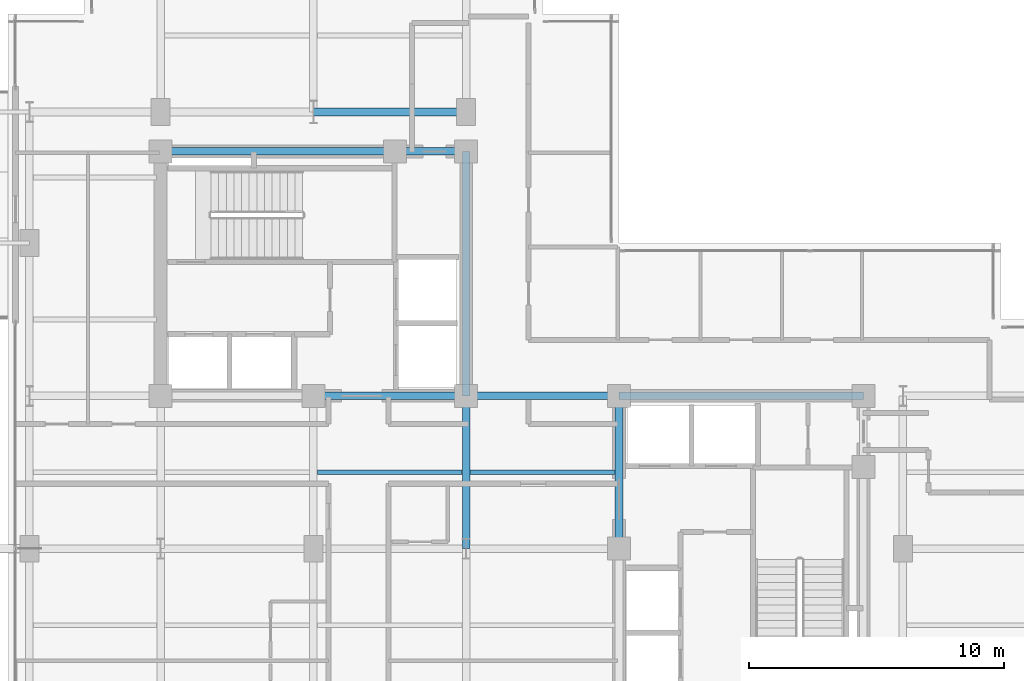
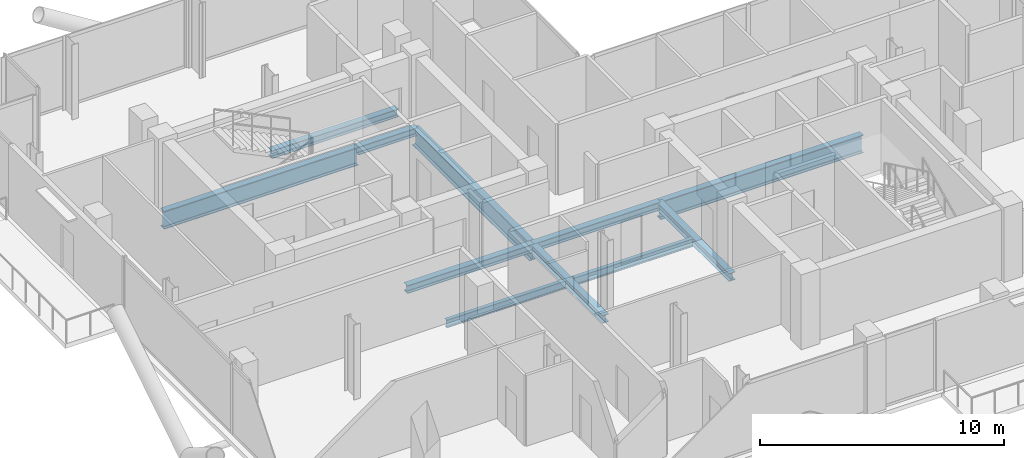
# One storey, part 9 of 25: 11 beams.
"""IFC4 building model written with IfcOpenShell, lengths in metres."""

from ifc_helpers import new_model, si_unit, direction, frame, origin, origin_2d, place, context, subcontext, project, spatial, i_section, extrude, material, material_profile, profile_set, type_object, element, save


model = new_model("IFC4")

# Units and contexts
model_context = context("Model", 3, precision=1e-05, world=origin(), true_north=direction((0.0, 1.0)))
body_context = subcontext(model_context, "Body", "Model", "MODEL_VIEW")
ifc_project = project(units=[si_unit("LENGTHUNIT", "METRE"), si_unit("AREAUNIT", "SQUARE_METRE"), si_unit("VOLUMEUNIT", "CUBIC_METRE"), si_unit("PLANEANGLEUNIT", "RADIAN"), si_unit("MASSUNIT", "GRAM", prefix="KILO"), si_unit("THERMODYNAMICTEMPERATUREUNIT", "KELVIN"), si_unit("POWERUNIT", "WATT")], contexts=[model_context])

# Site, building, storey
site_placement = place(None, origin())
site = spatial("IfcSite", under=ifc_project, at=site_placement, CompositionType="ELEMENT")
building_placement = place(site_placement, origin())
building = spatial("IfcBuilding", under=site, at=building_placement, Name="Svarakhadi Broadcast Tower", CompositionType="ELEMENT")
storey_placement = place(building_placement, frame((0.0, 0.0, 216.14990234375)))
storey = spatial("IfcBuildingStorey", under=building, at=storey_placement, Name="L53", CompositionType="ELEMENT", Elevation=216.14990234375)

# Beams
ifc_material_1 = material(Name="Steel S355J2 (IS 2062 E350C)", Category="steel")
ifc_material_profile_1 = material_profile(ifc_material_1, i_section(OverallWidth=0.179931640625, OverallDepth=0.39990234375, WebThickness=0.008544921875, FlangeThickness=0.013427734375, FilletRadius=0.02099609375, at=origin_2d()), Name="NPB 400x180x66")
ifc_profile_set_1 = profile_set([ifc_material_profile_1], Name="Steel S355J2 (IS 2062 E350C)")
beam_type_1 = type_object("IfcBeamType", Name="Beam_NPB400", PredefinedType="BEAM", material=ifc_profile_set_1)
for number, where, z_axis, x_axis, name in (
    (1, (12.159912109375, 15.0, -0.409912109375), (1.0, 0.0, 0.0), (0.0, 1.0, 0.0), "L53 Secondary Composite Beam SB011"),
    (2, (18.159912109375, 15.0, -0.409912109375), (1.0, 0.0, 0.0), (0.0, 1.0, 0.0), "L53 Secondary Composite Beam SB015"),
):
    element("IfcBeam", number, at=place(storey_placement, frame(where, z_axis=z_axis, x_axis=x_axis)), inside=storey, type_object=beam_type_1, Name=name, PredefinedType="BEAM", context=body_context, shape_type="SweptSolid", body=[
        extrude(i_section(OverallWidth=0.179931640625, OverallDepth=0.39990234375, WebThickness=0.008544921875, FlangeThickness=0.013427734375, FilletRadius=0.02099609375, at=origin_2d()), origin(), (0.0, 0.0, 1.0), 5.68017578125),
    ])
ifc_material_profile_2 = material_profile(ifc_material_1, i_section(OverallWidth=0.300048828125, OverallDepth=0.39990234375, WebThickness=0.013427734375, FlangeThickness=0.02392578125, FilletRadius=0.027099609375, at=origin_2d()), Name="WPB 400x300x155")
ifc_profile_set_2 = profile_set([ifc_material_profile_2], Name="Steel S355J2 (IS 2062 E350C)")
beam_type_2 = type_object("IfcBeamType", Name="Girder_WPB400", PredefinedType="USERDEFINED", material=ifc_profile_set_2)
for number, where, z_axis, x_axis, name in (
    (3, (12.0, 18.0, -0.409912109375), (1.0, 0.0, 0.0), (0.0, 1.0, 0.0), "L53 Primary E-W Girder G022"),
    (4, (18.0, 18.0, -0.409912109375), (1.0, 0.0, 0.0), (0.0, 1.0, 0.0), "L53 Primary E-W Girder G023"),
):
    element("IfcBeam", number, at=place(storey_placement, frame(where, z_axis=z_axis, x_axis=x_axis)), inside=storey, type_object=beam_type_2, Name=name, ObjectType="GIRDER", PredefinedType="USERDEFINED", context=body_context, shape_type="SweptSolid", body=[
        extrude(i_section(OverallWidth=0.300048828125, OverallDepth=0.39990234375, WebThickness=0.013427734375, FlangeThickness=0.02392578125, FilletRadius=0.027099609375, at=origin_2d()), origin(), (0.0, 0.0, 1.0), 6.0),
    ])
beam_1_placement = place(storey_placement, frame((15.199951171875, 27.60009765625, -0.409912109375), z_axis=(1.0, 0.0, 0.0), x_axis=(0.0, 1.0, 0.0)))
element("IfcBeam", 5, at=beam_1_placement, inside=storey, type_object=beam_type_2, Name="L53 Primary E-W Girder G027", ObjectType="GIRDER", PredefinedType="USERDEFINED", context=body_context, shape_type="SweptSolid", body=[
    extrude(i_section(OverallWidth=0.300048828125, OverallDepth=0.39990234375, WebThickness=0.013427734375, FlangeThickness=0.02392578125, FilletRadius=0.027099609375, at=origin_2d()), origin(), (0.0, 0.0, 1.0), 2.800048828125),
])
for number, where, z_axis, x_axis, name in (
    (6, (12.0, 29.14990234375, -0.409912109375), (1.0, 0.0, 0.0), (0.0, 1.0, 0.0), "L53 Primary E-W Girder G030"),
    (7, (18.0, 12.0, -0.409912109375), (0.0, 1.0, 0.0), (-1.0, 0.0, 0.0), "L53 Primary N-S Girder G048"),
    (8, (24.0, 12.0, -0.409912109375), (0.0, 1.0, 0.0), (-1.0, 0.0, 0.0), "L53 Primary N-S Girder G053"),
):
    element("IfcBeam", number, at=place(storey_placement, frame(where, z_axis=z_axis, x_axis=x_axis)), inside=storey, type_object=beam_type_2, Name=name, ObjectType="GIRDER", PredefinedType="USERDEFINED", context=body_context, shape_type="SweptSolid", body=[
        extrude(i_section(OverallWidth=0.300048828125, OverallDepth=0.39990234375, WebThickness=0.013427734375, FlangeThickness=0.02392578125, FilletRadius=0.027099609375, at=origin_2d()), origin(), (0.0, 0.0, 1.0), 6.0),
    ])
ifc_material_2 = material(Name="Steel S460ML (IS 2062 E450BR)", Category="steel")
ifc_material_profile_3 = material_profile(ifc_material_2, i_section(OverallWidth=0.300048828125, OverallDepth=0.89990234375, WebThickness=0.0185546875, FlangeThickness=0.034912109375, FilletRadius=0.030029296875, at=origin_2d()), Name="WPB 900x300x291")
ifc_profile_set_3 = profile_set([ifc_material_profile_3], Name="Steel S460ML (IS 2062 E450BR)")
beam_type_3 = type_object("IfcBeamType", Name="Girder_WPB900", PredefinedType="USERDEFINED", material=ifc_profile_set_3)
beam_2_placement = place(storey_placement, frame((24.0, 18.0, -0.659912109375), z_axis=(1.0, 0.0, 0.0), x_axis=(0.0, 1.0, 0.0)))
element("IfcBeam", 9, at=beam_2_placement, inside=storey, type_object=beam_type_3, Name="L53 Primary E-W Girder G024", ObjectType="GIRDER", PredefinedType="USERDEFINED", context=body_context, shape_type="SweptSolid", body=[
    extrude(i_section(OverallWidth=0.300048828125, OverallDepth=0.89990234375, WebThickness=0.0185546875, FlangeThickness=0.034912109375, FilletRadius=0.030029296875, at=origin_2d()), origin(), (0.0, 0.0, 1.0), 9.60009765625),
])
beam_3_placement = place(storey_placement, frame((6.0, 27.60009765625, -0.659912109375), z_axis=(1.0, 0.0, 0.0), x_axis=(0.0, 1.0, 0.0)))
element("IfcBeam", 10, at=beam_3_placement, inside=storey, type_object=beam_type_3, Name="L53 Primary E-W Girder G026", ObjectType="GIRDER", PredefinedType="USERDEFINED", context=body_context, shape_type="SweptSolid", body=[
    extrude(i_section(OverallWidth=0.300048828125, OverallDepth=0.89990234375, WebThickness=0.0185546875, FlangeThickness=0.034912109375, FilletRadius=0.030029296875, at=origin_2d()), origin(), (0.0, 0.0, 1.0), 9.199951171875),
])
beam_4_placement = place(storey_placement, frame((18.0, 18.0, -0.659912109375), z_axis=(0.0, 1.0, 0.0), x_axis=(-1.0, 0.0, 0.0)))
element("IfcBeam", 11, at=beam_4_placement, inside=storey, type_object=beam_type_3, Name="L53 Primary N-S Girder G049", ObjectType="GIRDER", PredefinedType="USERDEFINED", context=body_context, shape_type="SweptSolid", body=[
    extrude(i_section(OverallWidth=0.300048828125, OverallDepth=0.89990234375, WebThickness=0.0185546875, FlangeThickness=0.034912109375, FilletRadius=0.030029296875, at=origin_2d()), origin(), (0.0, 0.0, 1.0), 9.60009765625),
])

save(model, "model.ifc")
